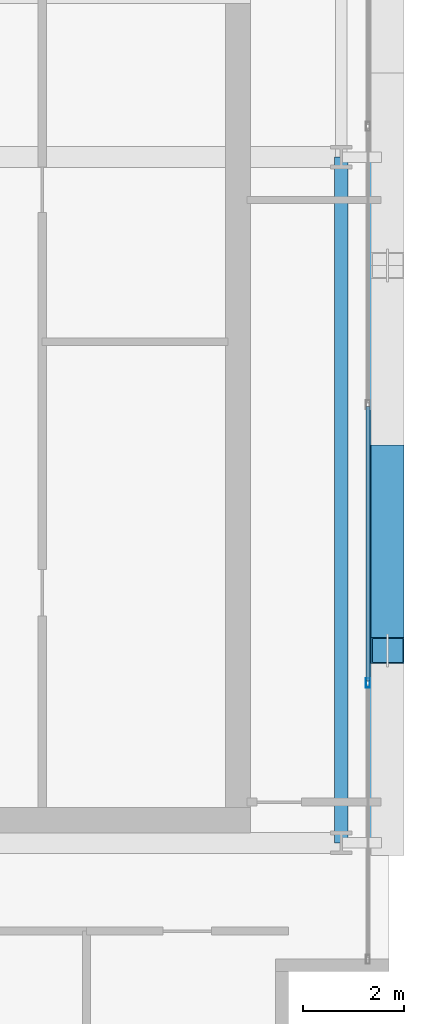
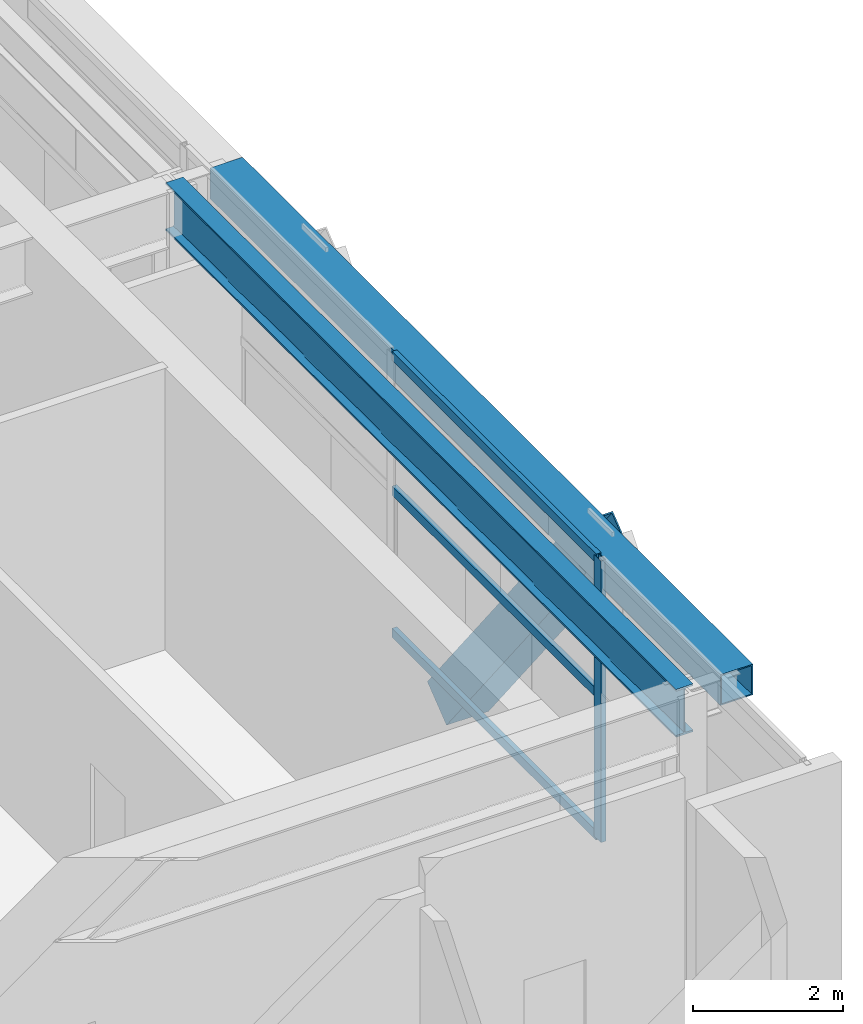
# One storey, part 11 of 31: 5 members, 2 beams, 1 element without a shape of its own.
"""IFC4 building model written with IfcOpenShell, lengths in metres."""

from ifc_helpers import new_model, si_unit, direction, frame, origin, origin_2d, place, context, subcontext, project, spatial, hollow_rectangle, i_section, extrude, source, transform, mapped, material, layer, layer_set, material_profile, profile_set, type_object, element, aggregate, save


model = new_model("IFC4")

# Units and contexts
model_context = context("Model", 3, precision=1e-05, world=origin(), true_north=direction((0.0, 1.0)))
body_context = subcontext(model_context, "Body", "Model", "MODEL_VIEW")
ifc_project = project(units=[si_unit("LENGTHUNIT", "METRE"), si_unit("AREAUNIT", "SQUARE_METRE"), si_unit("VOLUMEUNIT", "CUBIC_METRE"), si_unit("PLANEANGLEUNIT", "RADIAN"), si_unit("MASSUNIT", "GRAM", prefix="KILO")], contexts=[model_context])

# Site, building, storey
site_placement = place(None, origin())
site = spatial("IfcSite", under=ifc_project, at=site_placement, CompositionType="ELEMENT")
building_placement = place(site_placement, origin())
building = spatial("IfcBuilding", under=site, at=building_placement, Name="Ocotamira Hotel", CompositionType="ELEMENT")
storey_placement = place(building_placement, frame((0.0, 0.0, 228.0)))
storey = spatial("IfcBuildingStorey", under=building, at=storey_placement, Name="L57", CompositionType="ELEMENT", Elevation=228.0)

# Beams
ifc_material_1 = material(Name="Steel ASTM A992 Grade 50", Category="steel")
ifc_material_profile_1 = material_profile(ifc_material_1, i_section(OverallWidth=0.26611328125, OverallDepth=0.779052734375, WebThickness=0.0166015625, FlangeThickness=0.030029296875, FilletRadius=0.01806640625, at=origin_2d()), Name="W30X148")
ifc_profile_set_1 = profile_set([ifc_material_profile_1], Name="Steel ASTM A992 Grade 50")
beam_type_1 = type_object("IfcBeamType", Name="BM-GIRD-W30X148", PredefinedType="BEAM", material=ifc_profile_set_1)
shared_shape_1 = source(origin(), body_context, "Body", "SweptSolid", [
    extrude(i_section(OverallWidth=0.26611328125, OverallDepth=0.779052734375, WebThickness=0.0166015625, FlangeThickness=0.030029296875, FilletRadius=0.01806640625, at=origin_2d()), origin(), (0.0, 0.0, 1.0), 13.599853515625),
])
beam_1_placement = place(storey_placement, frame((55.050048828125, 14.550048828125, 4.1904296875), z_axis=(0.0, 1.0, 0.0), x_axis=(-1.0, 0.0, 0.0)))
element("IfcBeam", 1, at=beam_1_placement, inside=storey, type_object=beam_type_1, Name="L57 Beam X55.05 Y14.55-28.15", PredefinedType="BEAM", context=body_context, shape_type="MappedRepresentation", body=[
    mapped(shared_shape_1, transform((0.0, 0.0, 0.0), scale=1.0)),
])
ifc_material_2 = material(Name="Steel ASTM A500 Grade C", Category="steel")
ifc_material_profile_2 = material_profile(ifc_material_2, hollow_rectangle(XDim=0.5, YDim=0.5, WallThickness=0.02001953125, at=origin_2d()), Name="HSS500X500X20")
ifc_profile_set_2 = profile_set([ifc_material_profile_2], Name="Steel ASTM A500 Grade C")
beam_type_2 = type_object("IfcBeamType", Name="BM-SPAN-HSS500", PredefinedType="USERDEFINED", material=ifc_profile_set_2)
shared_shape_2 = source(origin(), body_context, "Body", "SweptSolid", [
    extrude(hollow_rectangle(XDim=0.5, YDim=0.5, WallThickness=0.02001953125, at=origin_2d()), origin(), (0.0, 0.0, 1.0), 13.599853515625),
])
beam_2_placement = place(storey_placement, frame((55.85009765625, 14.550048828125, 4.330078125), z_axis=(0.0, 1.0, 0.0), x_axis=(-1.0, 0.0, 0.0)))
element("IfcBeam", 2, at=beam_2_placement, inside=storey, type_object=beam_type_2, Name="L57 Edge Spandrel E Y14.55-28.15", ObjectType="SPANDREL", PredefinedType="USERDEFINED", context=body_context, shape_type="MappedRepresentation", body=[
    mapped(shared_shape_2, transform((0.0, 0.0, 0.0), scale=1.0)),
])

# Member
ifc_material_3 = material(Name="Pale-metal coated steel ASTM A913 Grade 65", Category="steel")
ifc_material_profile_3 = material_profile(ifc_material_3, hollow_rectangle(XDim=0.64990234375, YDim=0.64990234375, WallThickness=0.02197265625, at=origin_2d()), Name="BOX650X650X22")
ifc_profile_set_3 = profile_set([ifc_material_profile_3], Name="Pale-metal coated steel ASTM A913 Grade 65")
member_type_1 = type_object("IfcMemberType", Name="MEM-EXO-BOX650", PredefinedType="BRACE", material=ifc_profile_set_3)
shared_shape_3 = source(origin(), body_context, "Body", "SweptSolid", [
    extrude(hollow_rectangle(XDim=0.64990234375, YDim=0.64990234375, WallThickness=0.02197265625, at=origin_2d()), origin(), (0.0, 0.0, 1.0), 6.1796875),
])
member_1_placement = place(storey_placement, frame((55.969970703125, 22.183349609375, -0.530029296875), z_axis=(0.0, -0.61762087854, 0.786475969366), x_axis=(1.0, 0.0, 0.0)))
element("IfcMember", 3, at=member_1_placement, inside=storey, type_object=member_type_1, Name="L57 Exoskeleton Diagrid E0.2", PredefinedType="BRACE", context=body_context, shape_type="MappedRepresentation", body=[
    mapped(shared_shape_3, transform((0.0, 0.0, 0.0), scale=1.0)),
])

# Curtain wall, members
ifc_material_4 = material(Name="Anodised pale-metal aluminium and solar glass", Category="aluminium")
ifc_layer = layer(ifc_material_4, 0.239990234375)
ifc_layer_set = layer_set([ifc_layer], Name="Anodised pale-metal aluminium and solar glass")
curtain_wall_type = type_object("IfcCurtainWallType", Name="CW-SYS5-SKY", PredefinedType="NOTDEFINED", material=ifc_layer_set)
curtain_wall_placement = place(storey_placement, origin())
curtain_wall = element("IfcCurtainWall", 4, at=curtain_wall_placement, inside=storey, type_object=curtain_wall_type, Name="L57 Curtain Wall CW-5 CW-L57-E", PredefinedType="NOTDEFINED")
ifc_material_5 = material(Name="Anodised pale-metal aluminium 6063-T6", Category="aluminium")
ifc_material_profile_4 = material_profile(ifc_material_5, hollow_rectangle(XDim=0.074951171875, YDim=0.14990234375, WallThickness=0.006103515625, at=origin_2d()), Name="HSS150X75X6")
ifc_profile_set_4 = profile_set([ifc_material_profile_4], Name="Anodised pale-metal aluminium 6063-T6")
member_type_2 = type_object("IfcMemberType", Name="CWT-150X75", PredefinedType="USERDEFINED", material=ifc_profile_set_4)
shared_shape_4 = source(origin(), body_context, "Body", "SweptSolid", [
    extrude(hollow_rectangle(XDim=0.074951171875, YDim=0.14990234375, WallThickness=0.006103515625, at=origin_2d()), origin(), (0.0, 0.0, 1.0), 5.43994140625),
])
member_2_placement = place(storey_placement, frame((55.580078125, 17.760009765625, 0.03759765625), z_axis=(0.0, 1.0, 0.0), x_axis=(-1.0, 0.0, 0.0)))
member_2 = element("IfcMember", 5, at=member_2_placement, type_object=member_type_2, Name="CW-5 transom 2.1", ObjectType="TRANSOM", PredefinedType="USERDEFINED", context=body_context, shape_type="MappedRepresentation", body=[
    mapped(shared_shape_4, transform((0.0, 0.0, 0.0), scale=1.0)),
])
member_3_placement = place(storey_placement, frame((55.580078125, 17.760009765625, 2.35009765625), z_axis=(0.0, 1.0, 0.0), x_axis=(-1.0, 0.0, 0.0)))
member_3 = element("IfcMember", 6, at=member_3_placement, type_object=member_type_2, Name="CW-5 transom 2.2", ObjectType="TRANSOM", PredefinedType="USERDEFINED", context=body_context, shape_type="MappedRepresentation", body=[
    mapped(shared_shape_4, transform((0.0, 0.0, 0.0), scale=1.0)),
])
member_4_placement = place(storey_placement, frame((55.580078125, 17.760009765625, 4.54248046875), z_axis=(0.0, 1.0, 0.0), x_axis=(-1.0, 0.0, 0.0)))
member_4 = element("IfcMember", 7, at=member_4_placement, type_object=member_type_2, Name="CW-5 transom 2.3", ObjectType="TRANSOM", PredefinedType="USERDEFINED", context=body_context, shape_type="MappedRepresentation", body=[
    mapped(shared_shape_4, transform((0.0, 0.0, 0.0), scale=1.0)),
])
ifc_material_profile_5 = material_profile(ifc_material_5, hollow_rectangle(XDim=0.080078125, YDim=0.179931640625, WallThickness=0.006103515625, at=origin_2d()), Name="HSS180X80X6")
ifc_profile_set_5 = profile_set([ifc_material_profile_5], Name="Anodised pale-metal aluminium 6063-T6")
member_type_3 = type_object("IfcMemberType", Name="CWM-180X75", PredefinedType="MULLION", material=ifc_profile_set_5)
shared_shape_5 = source(origin(), body_context, "Body", "SweptSolid", [
    extrude(hollow_rectangle(XDim=0.080078125, YDim=0.179931640625, WallThickness=0.006103515625, at=origin_2d()), origin(), (0.0, 0.0, 1.0), 4.580078125),
])
member_5_placement = place(storey_placement, frame((55.580078125, 17.719970703125, 0.0), z_axis=(0.0, 0.0, 1.0), x_axis=(-1.0, 0.0, 0.0)))
member_5 = element("IfcMember", 8, at=member_5_placement, type_object=member_type_3, Name="CW-5 mullion 2", PredefinedType="MULLION", context=body_context, shape_type="MappedRepresentation", body=[
    mapped(shared_shape_5, transform((0.0, 0.0, 0.0), scale=1.0)),
])
aggregate(curtain_wall, [member_5, member_2, member_3, member_4])

save(model, "model.ifc")
